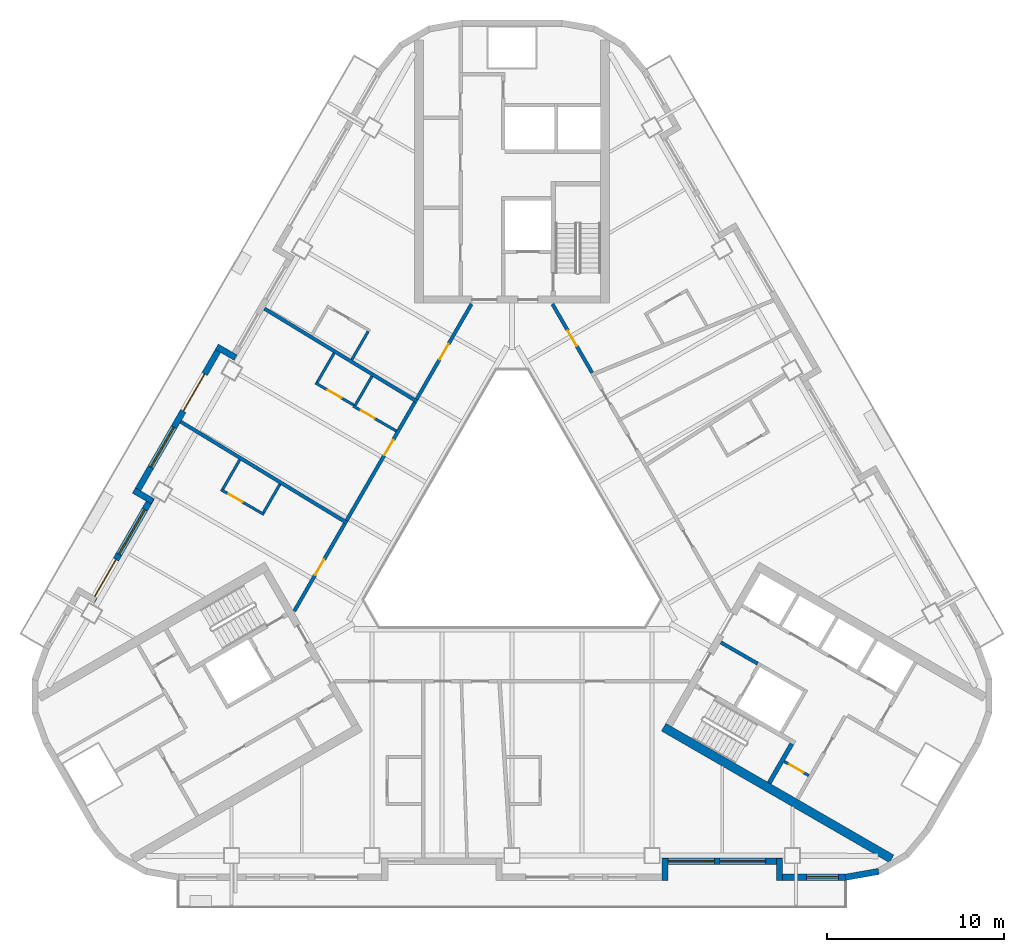
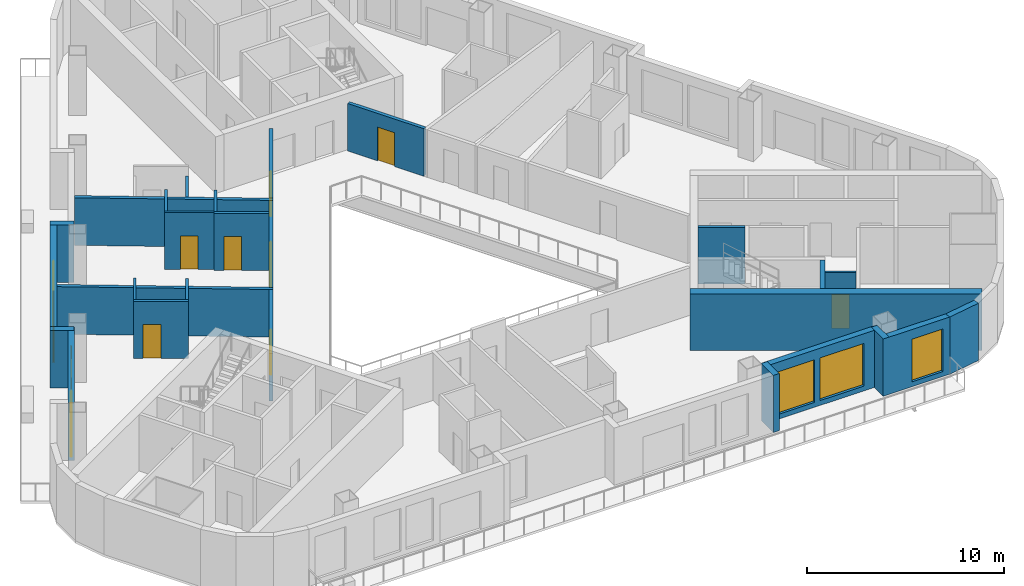
# One storey, part 4 of 13: 27 walls, 10 doors, 5 windows, 15 openings.
"""IFC4 building model written with IfcOpenShell, lengths in metres."""

from ifc_helpers import new_model, si_unit, direction, frame, frame_2d, origin, place, context, subcontext, project, spatial, rectangle, extrude, material, layer, layer_set, type_object, element, fill, save


model = new_model("IFC4")

# Units and contexts
model_context = context("Model", 3, precision=1e-05, world=origin(), true_north=direction((0.0, 1.0)))
body_context = subcontext(model_context, "Body", "Model", "MODEL_VIEW")
ifc_project = project(units=[si_unit("LENGTHUNIT", "METRE"), si_unit("AREAUNIT", "SQUARE_METRE"), si_unit("VOLUMEUNIT", "CUBIC_METRE"), si_unit("PLANEANGLEUNIT", "RADIAN"), si_unit("MASSUNIT", "GRAM", prefix="KILO")], contexts=[model_context])

# Site, building, storey
site_placement = place(None, origin())
site = spatial("IfcSite", under=ifc_project, at=site_placement, CompositionType="ELEMENT")
building_placement = place(site_placement, origin())
building = spatial("IfcBuilding", under=site, at=building_placement, Name="Apuvela Tower Hotel", CompositionType="ELEMENT")
storey_placement = place(building_placement, frame((0.0, 0.0, 102.0)))
storey = spatial("IfcBuildingStorey", under=building, at=storey_placement, Name="L23", CompositionType="ELEMENT", Elevation=102.0)

# Wall
ifc_material_1 = material(Name="Concrete C50/60", Category="concrete")
ifc_layer_1 = layer(ifc_material_1, 0.5)
ifc_layer_set_1 = layer_set([ifc_layer_1], Name="COR-WALL-CORE-500")
wall_type_1 = type_object("IfcWallType", Name="COR-WALL-CORE-500", PredefinedType="SHEAR", material=ifc_layer_set_1)
wall_1_placement = place(storey_placement, frame((8.546630859375, -10.99658203125, 0.0), z_axis=(0.0, 0.0, 1.0), x_axis=(0.866025009528, -0.500000682871, 0.0)))
element("IfcWall", 1, at=wall_1_placement, inside=storey, type_object=wall_type_1, Name="Core wall SE", PredefinedType="SHEAR", context=body_context, shape_type="SweptSolid", body=[
    extrude(rectangle(XDim=14.8369140625, YDim=0.5, at=frame_2d((7.41845703125, 0.0))), origin(), (0.0, 0.0, 1.0), 3.5),
])

# Wall, opening, door
ifc_material_2 = material(Name="Blockwork 150 mm plastered", Category="masonry")
ifc_layer_2 = layer(ifc_material_2, 0.14990234375)
ifc_layer_set_2 = layer_set([ifc_layer_2], Name="COR-WALL-PART-150")
wall_type_2 = type_object("IfcWallType", Name="COR-WALL-PART-150", PredefinedType="PARTITIONING", material=ifc_layer_set_2)
wall_2_placement = place(storey_placement, frame((15.341552734375, -12.927734375, 0.0), z_axis=(0.0, 0.0, 1.0), x_axis=(0.865989903783, -0.500061482766, 0.0)))
wall_2 = element("IfcWall", 2, at=wall_2_placement, inside=storey, type_object=wall_type_2, Name="Partition SE", PredefinedType="PARTITIONING", context=body_context, shape_type="SweptSolid", body=[
    extrude(rectangle(XDim=1.599853515625, YDim=0.14990234375, at=frame_2d((0.7998046875, 0.0))), origin(), (0.0, 0.0, 1.0), 3.5),
])
opening_1_placement = place(wall_2_placement, frame((0.35009765625, 0.0, 0.0)))
opening_1 = element("IfcOpeningElement", 3, at=opening_1_placement, cuts=wall_2, Name="Opening E-RD", PredefinedType="OPENING", context=body_context, shape_type="SweptSolid", body=[
    extrude(rectangle(XDim=0.89990234375, YDim=2.10009765625, at=frame_2d((0.449951171875, 1.050048828125))), frame((0.0, 0.0849609375, 0.0), z_axis=(0.0, -1.0, 0.0), x_axis=(1.0, 0.0, 0.0)), (0.0, 0.0, 1.0), 0.169921875),
])
ifc_material_3 = material(Name="Steel access door, powder coated", Category="steel")
door_type_1 = type_object("IfcDoorType", Name="COR-RD-900", OperationType="NOTDEFINED", PredefinedType="DOOR", material=ifc_material_3)
door_1_placement = place(opening_1_placement, frame((0.89990234375, 0.0, 0.0), z_axis=(0.0, 0.0, 1.0), x_axis=(-1.0, 0.0, 0.0)))
door_1 = element("IfcDoor", 4, at=door_1_placement, inside=storey, type_object=door_type_1, Name="Riser door E-RD", OperationType="SINGLE_SWING_LEFT", OverallHeight=2.10009765625, OverallWidth=0.89990234375, PredefinedType="DOOR", context=body_context, shape_type="SweptSolid", body=[
    extrude(rectangle(XDim=0.89990234375, YDim=2.10009765625, at=frame_2d((0.449951171875, 1.050048828125))), frame((0.0, 0.02490234375, 0.0), z_axis=(0.0, -1.0, 0.0), x_axis=(1.0, 0.0, 0.0)), (0.0, 0.0, 1.0), 0.050048828125),
])
fill(opening_1, door_1)

# Walls
ifc_layer_3 = layer(ifc_material_1, 0.199951171875)
ifc_layer_set_3 = layer_set([ifc_layer_3], Name="COR-WALL-SHAFT-200")
wall_type_3 = type_object("IfcWallType", Name="COR-WALL-SHAFT-200", PredefinedType="SHEAR", material=ifc_layer_set_3)
wall_3_placement = place(storey_placement, frame((11.76806640625, -6.217041015625, 0.0), z_axis=(0.0, 0.0, 1.0), x_axis=(0.866050077142, -0.499957262057, 0.0)))
element("IfcWall", 5, at=wall_3_placement, inside=storey, type_object=wall_type_3, Name="Shaft wall SE", PredefinedType="SHEAR", context=body_context, shape_type="SweptSolid", body=[
    extrude(rectangle(XDim=2.400146484375, YDim=0.199951171875, at=frame_2d((1.2001953125, 0.0))), origin(), (0.0, 0.0, 1.0), 3.5),
])
ifc_layer_4 = layer(ifc_material_1, 0.25)
ifc_layer_set_4 = layer_set([ifc_layer_4], Name="COR-WALL-STAIR-250")
wall_type_4 = type_object("IfcWallType", Name="COR-WALL-STAIR-250", PredefinedType="SHEAR", material=ifc_layer_set_4)
wall_4_placement = place(storey_placement, frame((14.49560546875, -14.142578125, 0.0), z_axis=(0.0, 0.0, 1.0), x_axis=(0.500062241894, 0.865989465428, 0.0)))
element("IfcWall", 6, at=wall_4_placement, inside=storey, type_object=wall_type_4, Name="Stair wall SE", PredefinedType="SHEAR", context=body_context, shape_type="SweptSolid", body=[
    extrude(rectangle(XDim=2.550048828125, YDim=0.25, at=frame_2d((1.27490234375, 0.0))), origin(), (0.0, 0.0, 1.0), 3.5),
])
ifc_material_4 = material(Name="Concrete C40/50, dark pigmented precast panel", Category="concrete")
ifc_layer_5 = layer(ifc_material_4, 0.35009765625)
ifc_layer_set_5 = layer_set([ifc_layer_5], Name="ENV-WALL-350")
wall_type_5 = type_object("IfcWallType", Name="ENV-WALL-350", PredefinedType="SOLIDWALL", material=ifc_layer_set_5)
wall_5_placement = place(storey_placement, frame((-15.580810546875, 9.8330078125, 0.0), z_axis=(0.0, 0.0, 1.0), x_axis=(-0.866055662726, 0.499947586314, 0.0)))
element("IfcWall", 7, at=wall_5_placement, inside=storey, type_object=wall_type_5, Name="External wall L23-04", PredefinedType="SOLIDWALL", context=body_context, shape_type="SweptSolid", body=[
    extrude(rectangle(XDim=1.220458984375, YDim=0.35009765625, at=frame_2d((0.6103515625, 0.0))), origin(), (0.0, 0.0, 1.0), 3.550048828125),
])

# Wall, openings, door, window
wall_6_placement = place(storey_placement, frame((-16.3984375, 10.507080078125, 0.0), z_axis=(0.0, 0.0, 1.0), x_axis=(-0.499999142773, -0.866025898704, 0.0)))
wall_6 = element("IfcWall", 8, at=wall_6_placement, inside=storey, type_object=wall_type_5, Name="External wall L23-05", PredefinedType="SOLIDWALL", context=body_context, shape_type="SweptSolid", body=[
    extrude(rectangle(XDim=9.7001953125, YDim=0.35009765625, at=frame_2d((4.85009765625, 0.0))), origin(), (0.0, 0.0, 1.0), 3.550048828125),
])
opening_2_placement = place(wall_6_placement, frame((1.85009765625, 0.0, 0.0)))
opening_2 = element("IfcOpeningElement", 9, at=opening_2_placement, cuts=wall_6, Name="Opening BD24", PredefinedType="OPENING", context=body_context, shape_type="SweptSolid", body=[
    extrude(rectangle(XDim=2.39990234375, YDim=2.39990234375, at=frame_2d((1.199951171875, 1.199951171875))), frame((0.0, 0.18505859375, 0.0), z_axis=(0.0, -1.0, 0.0), x_axis=(1.0, 0.0, 0.0)), (0.0, 0.0, 1.0), 0.3701171875),
])
opening_3_placement = place(wall_6_placement, frame((5.2998046875, 0.0, 0.300048828125)))
opening_3 = element("IfcOpeningElement", 10, at=opening_3_placement, cuts=wall_6, Name="Opening WN26", PredefinedType="OPENING", context=body_context, shape_type="SweptSolid", body=[
    extrude(rectangle(XDim=2.60009765625, YDim=2.64990234375, at=frame_2d((1.300048828125, 1.324951171875))), frame((0.0, 0.18505859375, 0.0), z_axis=(0.0, -1.0, 0.0), x_axis=(1.0, 0.0, 0.0)), (0.0, 0.0, 1.0), 0.3701171875),
])
ifc_material_5 = material(Name="Aluminium 6063-T6, dark bronze anodised frame with dark tinted laminated glass", Category="aluminium")
door_type_2 = type_object("IfcDoorType", Name="ENV-DOOR-BALCONY-2400x2400", OperationType="SLIDING_TO_LEFT", PredefinedType="DOOR", material=ifc_material_5)
door_2_placement = place(opening_2_placement, frame((2.39990234375, 0.0, 0.0), z_axis=(0.0, 0.0, 1.0), x_axis=(-1.0, 0.0, 0.0)))
door_2 = element("IfcDoor", 11, at=door_2_placement, inside=storey, type_object=door_type_2, Name="Balcony door BD24", OperationType="SLIDING_TO_LEFT", OverallHeight=2.39990234375, OverallWidth=2.39990234375, PredefinedType="DOOR", context=body_context, shape_type="SweptSolid", body=[
    extrude(rectangle(XDim=2.39990234375, YDim=2.39990234375, at=frame_2d((1.199951171875, 1.199951171875))), frame((0.0, 0.02490234375, 0.0), z_axis=(0.0, -1.0, 0.0), x_axis=(1.0, 0.0, 0.0)), (0.0, 0.0, 1.0), 0.050048828125),
])
fill(opening_2, door_2)
ifc_material_6 = material(Name="Glass, dark tinted laminated insulated glazing unit", Category="glass")
window_type_1 = type_object("IfcWindowType", Name="ENV-WIN-2600x2650", PartitioningType="SINGLE_PANEL", PredefinedType="WINDOW", material=ifc_material_6)
window_1_placement = place(opening_3_placement, origin())
window_1 = element("IfcWindow", 12, at=window_1_placement, inside=storey, type_object=window_type_1, Name="Window WN26", OverallHeight=2.64990234375, OverallWidth=2.60009765625, PartitioningType="SINGLE_PANEL", PredefinedType="WINDOW", context=body_context, shape_type="SweptSolid", body=[
    extrude(rectangle(XDim=2.60009765625, YDim=2.64990234375, at=frame_2d((1.300048828125, 1.324951171875))), frame((0.0, 0.030029296875, 0.0), z_axis=(0.0, -1.0, 0.0), x_axis=(1.0, 0.0, 0.0)), (0.0, 0.0, 1.0), 0.06005859375),
])
fill(opening_3, window_1)

# Wall
wall_7_placement = place(storey_placement, frame((-21.3125, 2.345703125, 0.0), z_axis=(0.0, 0.0, 1.0), x_axis=(0.866005645448, -0.500034220881, 0.0)))
element("IfcWall", 13, at=wall_7_placement, inside=storey, type_object=wall_type_5, Name="External wall L23-06", PredefinedType="SOLIDWALL", context=body_context, shape_type="SweptSolid", body=[
    extrude(rectangle(XDim=1.22021484375, YDim=0.35009765625, at=frame_2d((0.610107421875, 0.0))), origin(), (0.0, 0.0, 1.0), 3.550048828125),
])

# Wall, openings, door, window
wall_8_placement = place(storey_placement, frame((-20.30908203125, 1.93359375, 0.0), z_axis=(0.0, 0.0, 1.0), x_axis=(-0.499992114976, -0.866029956157, 0.0)))
wall_8 = element("IfcWall", 14, at=wall_8_placement, inside=storey, type_object=wall_type_5, Name="External wall L23-07", PredefinedType="SOLIDWALL", context=body_context, shape_type="SweptSolid", body=[
    extrude(rectangle(XDim=6.73974609375, YDim=0.35009765625, at=frame_2d((3.369873046875, 0.0))), origin(), (0.0, 0.0, 1.0), 3.550048828125),
])
opening_4_placement = place(wall_8_placement, frame((4.02001953125, 0.0, 0.0)))
opening_4 = element("IfcOpeningElement", 15, at=opening_4_placement, cuts=wall_8, Name="Opening BD24", PredefinedType="OPENING", context=body_context, shape_type="SweptSolid", body=[
    extrude(rectangle(XDim=2.39990234375, YDim=2.39990234375, at=frame_2d((1.199951171875, 1.199951171875))), frame((0.0, 0.18505859375, 0.0), z_axis=(0.0, -1.0, 0.0), x_axis=(1.0, 0.0, 0.0)), (0.0, 0.0, 1.0), 0.3701171875),
])
opening_5_placement = place(wall_8_placement, frame((0.77001953125, 0.0, 0.300048828125)))
opening_5 = element("IfcOpeningElement", 16, at=opening_5_placement, cuts=wall_8, Name="Opening WN29", PredefinedType="OPENING", context=body_context, shape_type="SweptSolid", body=[
    extrude(rectangle(XDim=2.89990234375, YDim=2.64990234375, at=frame_2d((1.449951171875, 1.324951171875))), frame((0.0, 0.18505859375, 0.0), z_axis=(0.0, -1.0, 0.0), x_axis=(1.0, 0.0, 0.0)), (0.0, 0.0, 1.0), 0.3701171875),
])
door_3_placement = place(opening_4_placement, frame((2.39990234375, 0.0, 0.0), z_axis=(0.0, 0.0, 1.0), x_axis=(-1.0, 0.0, 0.0)))
door_3 = element("IfcDoor", 17, at=door_3_placement, inside=storey, type_object=door_type_2, Name="Balcony door BD24", OperationType="SLIDING_TO_LEFT", OverallHeight=2.39990234375, OverallWidth=2.39990234375, PredefinedType="DOOR", context=body_context, shape_type="SweptSolid", body=[
    extrude(rectangle(XDim=2.39990234375, YDim=2.39990234375, at=frame_2d((1.199951171875, 1.199951171875))), frame((0.0, 0.02490234375, 0.0), z_axis=(0.0, -1.0, 0.0), x_axis=(1.0, 0.0, 0.0)), (0.0, 0.0, 1.0), 0.050048828125),
])
fill(opening_4, door_3)
window_type_2 = type_object("IfcWindowType", Name="ENV-WIN-2900x2650", PartitioningType="SINGLE_PANEL", PredefinedType="WINDOW", material=ifc_material_6)
window_2_placement = place(opening_5_placement, origin())
window_2 = element("IfcWindow", 18, at=window_2_placement, inside=storey, type_object=window_type_2, Name="Window WN29", OverallHeight=2.64990234375, OverallWidth=2.89990234375, PartitioningType="SINGLE_PANEL", PredefinedType="WINDOW", context=body_context, shape_type="SweptSolid", body=[
    extrude(rectangle(XDim=2.89990234375, YDim=2.64990234375, at=frame_2d((1.449951171875, 1.324951171875))), frame((0.0, 0.030029296875, 0.0), z_axis=(0.0, -1.0, 0.0), x_axis=(1.0, 0.0, 0.0)), (0.0, 0.0, 1.0), 0.06005859375),
])
fill(opening_5, window_2)

# Wall
wall_9_placement = place(storey_placement, frame((8.625, -19.6298828125, 0.0), z_axis=(0.0, 0.0, 1.0), x_axis=(0.0, 1.0, 0.0)))
element("IfcWall", 19, at=wall_9_placement, inside=storey, type_object=wall_type_5, Name="External wall L23-22", PredefinedType="SOLIDWALL", context=body_context, shape_type="SweptSolid", body=[
    extrude(rectangle(XDim=1.219970703125, YDim=0.35009765625, at=frame_2d((0.60986328125, 0.0))), origin(), (0.0, 0.0, 1.0), 3.550048828125),
])

# Wall, openings, windows
wall_10_placement = place(storey_placement, frame((8.47998046875, -18.554931640625, 0.0), z_axis=(0.0, 0.0, 1.0), x_axis=(1.0, 0.0, 0.0)))
wall_10 = element("IfcWall", 20, at=wall_10_placement, inside=storey, type_object=wall_type_5, Name="External wall L23-23", PredefinedType="SOLIDWALL", context=body_context, shape_type="SweptSolid", body=[
    extrude(rectangle(XDim=6.739990234375, YDim=0.35009765625, at=frame_2d((3.3701171875, 0.0))), origin(), (0.0, 0.0, 1.0), 3.550048828125),
])
opening_6_placement = place(wall_10_placement, frame((0.3203125, 0.0, 0.300048828125)))
opening_6 = element("IfcOpeningElement", 21, at=opening_6_placement, cuts=wall_10, Name="Opening WN26", PredefinedType="OPENING", context=body_context, shape_type="SweptSolid", body=[
    extrude(rectangle(XDim=2.60009765625, YDim=2.64990234375, at=frame_2d((1.300048828125, 1.324951171875))), frame((0.0, 0.18505859375, 0.0), z_axis=(0.0, -1.0, 0.0), x_axis=(1.0, 0.0, 0.0)), (0.0, 0.0, 1.0), 0.3701171875),
])
opening_7_placement = place(wall_10_placement, frame((3.22021484375, 0.0, 0.300048828125)))
opening_7 = element("IfcOpeningElement", 22, at=opening_7_placement, cuts=wall_10, Name="Opening WN26", PredefinedType="OPENING", context=body_context, shape_type="SweptSolid", body=[
    extrude(rectangle(XDim=2.60009765625, YDim=2.64990234375, at=frame_2d((1.300048828125, 1.324951171875))), frame((0.0, 0.18505859375, 0.0), z_axis=(0.0, -1.0, 0.0), x_axis=(1.0, 0.0, 0.0)), (0.0, 0.0, 1.0), 0.3701171875),
])
window_3_placement = place(opening_6_placement, origin())
window_3 = element("IfcWindow", 23, at=window_3_placement, inside=storey, type_object=window_type_1, Name="Window WN26", OverallHeight=2.64990234375, OverallWidth=2.60009765625, PartitioningType="SINGLE_PANEL", PredefinedType="WINDOW", context=body_context, shape_type="SweptSolid", body=[
    extrude(rectangle(XDim=2.60009765625, YDim=2.64990234375, at=frame_2d((1.300048828125, 1.324951171875))), frame((0.0, 0.030029296875, 0.0), z_axis=(0.0, -1.0, 0.0), x_axis=(1.0, 0.0, 0.0)), (0.0, 0.0, 1.0), 0.06005859375),
])
fill(opening_6, window_3)
window_4_placement = place(opening_7_placement, origin())
window_4 = element("IfcWindow", 24, at=window_4_placement, inside=storey, type_object=window_type_1, Name="Window WN26", OverallHeight=2.64990234375, OverallWidth=2.60009765625, PartitioningType="SINGLE_PANEL", PredefinedType="WINDOW", context=body_context, shape_type="SweptSolid", body=[
    extrude(rectangle(XDim=2.60009765625, YDim=2.64990234375, at=frame_2d((1.300048828125, 1.324951171875))), frame((0.0, 0.030029296875, 0.0), z_axis=(0.0, -1.0, 0.0), x_axis=(1.0, 0.0, 0.0)), (0.0, 0.0, 1.0), 0.06005859375),
])
fill(opening_7, window_4)

# Wall
wall_11_placement = place(storey_placement, frame((15.074951171875, -18.409912109375, 0.0), z_axis=(0.0, 0.0, 1.0), x_axis=(0.0, -1.0, 0.0)))
element("IfcWall", 25, at=wall_11_placement, inside=storey, type_object=wall_type_5, Name="External wall L23-24", PredefinedType="SOLIDWALL", context=body_context, shape_type="SweptSolid", body=[
    extrude(rectangle(XDim=1.219970703125, YDim=0.35009765625, at=frame_2d((0.60986328125, 0.0))), origin(), (0.0, 0.0, 1.0), 3.550048828125),
])

# Wall, opening, window
wall_12_placement = place(storey_placement, frame((14.89990234375, -19.455078125, 0.0), z_axis=(0.0, 0.0, 1.0), x_axis=(1.0, 0.0, 0.0)))
wall_12 = element("IfcWall", 26, at=wall_12_placement, inside=storey, type_object=wall_type_5, Name="External wall L23-25", PredefinedType="SOLIDWALL", context=body_context, shape_type="SweptSolid", body=[
    extrude(rectangle(XDim=3.916015625, YDim=0.35009765625, at=frame_2d((1.9580078125, 0.0))), origin(), (0.0, 0.0, 1.0), 3.550048828125),
])
opening_8_placement = place(wall_12_placement, frame((1.699951171875, 0.0, 0.300048828125)))
opening_8 = element("IfcOpeningElement", 27, at=opening_8_placement, cuts=wall_12, Name="Opening WN18", PredefinedType="OPENING", context=body_context, shape_type="SweptSolid", body=[
    extrude(rectangle(XDim=1.800048828125, YDim=2.64990234375, at=frame_2d((0.89990234375, 1.324951171875))), frame((0.0, 0.18505859375, 0.0), z_axis=(0.0, -1.0, 0.0), x_axis=(1.0, 0.0, 0.0)), (0.0, 0.0, 1.0), 0.3701171875),
])
window_type_3 = type_object("IfcWindowType", Name="ENV-WIN-1800x2650", PartitioningType="SINGLE_PANEL", PredefinedType="WINDOW", material=ifc_material_6)
window_5_placement = place(opening_8_placement, origin())
window_5 = element("IfcWindow", 28, at=window_5_placement, inside=storey, type_object=window_type_3, Name="Window WN18", OverallHeight=2.64990234375, OverallWidth=1.800048828125, PartitioningType="SINGLE_PANEL", PredefinedType="WINDOW", context=body_context, shape_type="SweptSolid", body=[
    extrude(rectangle(XDim=1.800048828125, YDim=2.64990234375, at=frame_2d((0.89990234375, 1.324951171875))), frame((0.0, 0.030029296875, 0.0), z_axis=(0.0, -1.0, 0.0), x_axis=(1.0, 0.0, 0.0)), (0.0, 0.0, 1.0), 0.06005859375),
])
fill(opening_8, window_5)

# Walls
wall_13_placement = place(storey_placement, frame((18.785400390625, -19.457763671875, 0.0), z_axis=(0.0, 0.0, 1.0), x_axis=(0.984798995425, 0.173697837091, 0.0)))
element("IfcWall", 29, at=wall_13_placement, inside=storey, type_object=wall_type_5, Name="External wall L23-26", PredefinedType="SOLIDWALL", context=body_context, shape_type="SweptSolid", body=[
    extrude(rectangle(XDim=1.91015625, YDim=0.35009765625, at=frame_2d((0.955078125, 0.0))), origin(), (0.0, 0.0, 1.0), 3.550048828125),
])
ifc_material_7 = material(Name="Gypsum board partition on twin steel stud", Category="steel")
ifc_layer_6 = layer(ifc_material_7, 0.199951171875)
ifc_layer_set_6 = layer_set([ifc_layer_6], Name="GST-PW1")
wall_type_6 = type_object("IfcWallType", Name="GST-PW1", PredefinedType="PARTITIONING", material=ifc_layer_set_6)
wall_14_placement = place(storey_placement, frame((-13.952880859375, 12.5927734375, 0.0), z_axis=(0.0, 0.0, 1.0), x_axis=(0.854198088033, -0.519947715065, 0.0)))
element("IfcWall", 30, at=wall_14_placement, inside=storey, type_object=wall_type_6, Name="L23 partition 05", PredefinedType="PARTITIONING", context=body_context, shape_type="SweptSolid", body=[
    extrude(rectangle(XDim=10.08251953125, YDim=0.199951171875, at=frame_2d((5.041259765625, 0.0))), origin(), (0.0, 0.0, 1.0), 2.949951171875),
])
wall_15_placement = place(storey_placement, frame((-18.672119140625, 6.21923828125, 0.0), z_axis=(0.0, 0.0, 1.0), x_axis=(0.854207998877, -0.519931432647, 0.0)))
element("IfcWall", 31, at=wall_15_placement, inside=storey, type_object=wall_type_6, Name="L23 partition 06", PredefinedType="PARTITIONING", context=body_context, shape_type="SweptSolid", body=[
    extrude(rectangle(XDim=10.983154296875, YDim=0.199951171875, at=frame_2d((5.49169921875, 0.0))), origin(), (0.0, 0.0, 1.0), 2.949951171875),
])

# Wall, opening, door
ifc_material_8 = material(Name="Gypsum board corridor wall on twin steel stud, acoustic", Category="steel")
ifc_layer_7 = layer(ifc_material_8, 0.199951171875)
ifc_layer_set_7 = layer_set([ifc_layer_7], Name="GST-PW2")
wall_type_7 = type_object("IfcWallType", Name="GST-PW2", PredefinedType="PARTITIONING", material=ifc_layer_set_7)
wall_16_placement = place(storey_placement, frame((2.280517578125, 12.85009765625, 0.0), z_axis=(0.0, 0.0, 1.0), x_axis=(0.499977539641, -0.866038370891, 0.0)))
wall_16 = element("IfcWall", 32, at=wall_16_placement, inside=storey, type_object=wall_type_7, Name="L23 partition 25", PredefinedType="PARTITIONING", context=body_context, shape_type="SweptSolid", body=[
    extrude(rectangle(XDim=4.473876953125, YDim=0.199951171875, at=frame_2d((2.23681640625, 0.0))), origin(), (0.0, 0.0, 1.0), 2.949951171875),
])
opening_9_placement = place(wall_16_placement, frame((1.73681640625, 0.0, 0.0)))
opening_9 = element("IfcOpeningElement", 33, at=opening_9_placement, cuts=wall_16, Name="Opening GD08-12", PredefinedType="OPENING", context=body_context, shape_type="SweptSolid", body=[
    extrude(rectangle(XDim=1.0, YDim=2.10009765625, at=frame_2d((0.5, 1.050048828125))), frame((0.0, 0.10986328125, 0.0), z_axis=(0.0, -1.0, 0.0), x_axis=(1.0, 0.0, 0.0)), (0.0, 0.0, 1.0), 0.219970703125),
])
ifc_material_9 = material(Name="Timber door leaf in steel frame", Category="steel")
door_type_3 = type_object("IfcDoorType", Name="GST-D1", OperationType="NOTDEFINED", PredefinedType="DOOR", material=ifc_material_9)
door_4_placement = place(opening_9_placement, origin())
door_4 = element("IfcDoor", 34, at=door_4_placement, inside=storey, type_object=door_type_3, Name="Door L23-12", OperationType="SINGLE_SWING_RIGHT", OverallHeight=2.10009765625, OverallWidth=1.0, PredefinedType="DOOR", context=body_context, shape_type="SweptSolid", body=[
    extrude(rectangle(XDim=1.0, YDim=2.10009765625, at=frame_2d((0.5, 1.050048828125))), frame((0.0, 0.02490234375, 0.0), z_axis=(0.0, -1.0, 0.0), x_axis=(1.0, 0.0, 0.0)), (0.0, 0.0, 1.0), 0.050048828125),
])
fill(opening_9, door_4)

wall_17_placement = place(storey_placement, frame((-5.375732421875, 7.489013671875, 0.0), z_axis=(0.0, 0.0, 1.0), x_axis=(0.499998977725, 0.866025993994, 0.0)))
wall_17 = element("IfcWall", 35, at=wall_17_placement, inside=storey, type_object=wall_type_7, Name="L23 partition 29", PredefinedType="PARTITIONING", context=body_context, shape_type="SweptSolid", body=[
    extrude(rectangle(XDim=6.1904296875, YDim=0.199951171875, at=frame_2d((3.09521484375, 0.0))), origin(), (0.0, 0.0, 1.0), 2.949951171875),
])
opening_10_placement = place(wall_17_placement, frame((2.59521484375, 0.0, 0.0)))
opening_10 = element("IfcOpeningElement", 36, at=opening_10_placement, cuts=wall_17, Name="Opening GD08-14", PredefinedType="OPENING", context=body_context, shape_type="SweptSolid", body=[
    extrude(rectangle(XDim=1.0, YDim=2.10009765625, at=frame_2d((0.5, 1.050048828125))), frame((0.0, 0.10986328125, 0.0), z_axis=(0.0, -1.0, 0.0), x_axis=(1.0, 0.0, 0.0)), (0.0, 0.0, 1.0), 0.219970703125),
])
door_5_placement = place(opening_10_placement, origin())
door_5 = element("IfcDoor", 37, at=door_5_placement, inside=storey, type_object=door_type_3, Name="Door L23-14", OperationType="SINGLE_SWING_LEFT", OverallHeight=2.10009765625, OverallWidth=1.0, PredefinedType="DOOR", context=body_context, shape_type="SweptSolid", body=[
    extrude(rectangle(XDim=1.0, YDim=2.10009765625, at=frame_2d((0.5, 1.050048828125))), frame((0.0, 0.02490234375, 0.0), z_axis=(0.0, -1.0, 0.0), x_axis=(1.0, 0.0, 0.0)), (0.0, 0.0, 1.0), 0.050048828125),
])
fill(opening_10, door_5)

wall_18_placement = place(storey_placement, frame((-9.32568359375, 0.647216796875, 0.0), z_axis=(0.0, 0.0, 1.0), x_axis=(0.499982277793, 0.866035635464, 0.0)))
wall_18 = element("IfcWall", 38, at=wall_18_placement, inside=storey, type_object=wall_type_7, Name="L23 partition 33", PredefinedType="PARTITIONING", context=body_context, shape_type="SweptSolid", body=[
    extrude(rectangle(XDim=7.699951171875, YDim=0.199951171875, at=frame_2d((3.85009765625, 0.0))), origin(), (0.0, 0.0, 1.0), 2.949951171875),
])
opening_11_placement = place(wall_18_placement, frame((4.252197265625, 0.0, 0.0)))
opening_11 = element("IfcOpeningElement", 39, at=opening_11_placement, cuts=wall_18, Name="Opening GD08-17", PredefinedType="OPENING", context=body_context, shape_type="SweptSolid", body=[
    extrude(rectangle(XDim=1.0, YDim=2.10009765625, at=frame_2d((0.5, 1.050048828125))), frame((0.0, 0.10986328125, 0.0), z_axis=(0.0, -1.0, 0.0), x_axis=(1.0, 0.0, 0.0)), (0.0, 0.0, 1.0), 0.219970703125),
])
door_6_placement = place(opening_11_placement, origin())
door_6 = element("IfcDoor", 40, at=door_6_placement, inside=storey, type_object=door_type_3, Name="Door L23-17", OperationType="SINGLE_SWING_LEFT", OverallHeight=2.10009765625, OverallWidth=1.0, PredefinedType="DOOR", context=body_context, shape_type="SweptSolid", body=[
    extrude(rectangle(XDim=1.0, YDim=2.10009765625, at=frame_2d((0.5, 1.050048828125))), frame((0.0, 0.02490234375, 0.0), z_axis=(0.0, -1.0, 0.0), x_axis=(1.0, 0.0, 0.0)), (0.0, 0.0, 1.0), 0.050048828125),
])
fill(opening_11, door_6)

wall_19_placement = place(storey_placement, frame((-12.268798828125, -4.449951171875, 0.0), z_axis=(0.0, 0.0, 1.0), x_axis=(0.50001360338, 0.866017549727, 0.0)))
wall_19 = element("IfcWall", 41, at=wall_19_placement, inside=storey, type_object=wall_type_7, Name="L23 partition 38", PredefinedType="PARTITIONING", context=body_context, shape_type="SweptSolid", body=[
    extrude(rectangle(XDim=5.685791015625, YDim=0.199951171875, at=frame_2d((2.8427734375, 0.0))), origin(), (0.0, 0.0, 1.0), 2.949951171875),
])
opening_12_placement = place(wall_19_placement, frame((2.343017578125, 0.0, 0.0)))
opening_12 = element("IfcOpeningElement", 42, at=opening_12_placement, cuts=wall_19, Name="Opening GD08-19", PredefinedType="OPENING", context=body_context, shape_type="SweptSolid", body=[
    extrude(rectangle(XDim=1.0, YDim=2.10009765625, at=frame_2d((0.5, 1.050048828125))), frame((0.0, 0.10986328125, 0.0), z_axis=(0.0, -1.0, 0.0), x_axis=(1.0, 0.0, 0.0)), (0.0, 0.0, 1.0), 0.219970703125),
])
door_7_placement = place(opening_12_placement, origin())
door_7 = element("IfcDoor", 43, at=door_7_placement, inside=storey, type_object=door_type_3, Name="Door L23-19", OperationType="SINGLE_SWING_RIGHT", OverallHeight=2.10009765625, OverallWidth=1.0, PredefinedType="DOOR", context=body_context, shape_type="SweptSolid", body=[
    extrude(rectangle(XDim=1.0, YDim=2.10009765625, at=frame_2d((0.5, 1.050048828125))), frame((0.0, 0.02490234375, 0.0), z_axis=(0.0, -1.0, 0.0), x_axis=(1.0, 0.0, 0.0)), (0.0, 0.0, 1.0), 0.050048828125),
])
fill(opening_12, door_7)

# Wall
ifc_material_10 = material(Name="Moisture-resistant gypsum board wet wall on steel stud", Category="steel")
ifc_layer_8 = layer(ifc_material_10, 0.14990234375)
ifc_layer_set_8 = layer_set([ifc_layer_8], Name="GST-PW3")
wall_type_8 = type_object("IfcWallType", Name="GST-PW3", PredefinedType="PARTITIONING", material=ifc_layer_set_8)
wall_20_placement = place(storey_placement, frame((-8.104248046875, 11.31298828125, 0.0), z_axis=(0.0, 0.0, 1.0), x_axis=(-0.499989263917, -0.866031602176, 0.0)))
element("IfcWall", 44, at=wall_20_placement, inside=storey, type_object=wall_type_8, Name="L23 partition 32", PredefinedType="PARTITIONING", context=body_context, shape_type="SweptSolid", body=[
    extrude(rectangle(XDim=1.84814453125, YDim=0.14990234375, at=frame_2d((0.924072265625, 0.0))), origin(), (0.0, 0.0, 1.0), 2.949951171875),
])

# Wall, opening, door
wall_21_placement = place(storey_placement, frame((-8.948486328125, 7.1005859375, 0.0), z_axis=(0.0, 0.0, 1.0), x_axis=(0.866034573852, -0.49998411664, 0.0)))
wall_21 = element("IfcWall", 45, at=wall_21_placement, inside=storey, type_object=wall_type_8, Name="L23 partition 34", PredefinedType="PARTITIONING", context=body_context, shape_type="SweptSolid", body=[
    extrude(rectangle(XDim=2.7998046875, YDim=0.14990234375, at=frame_2d((1.39990234375, 0.0))), origin(), (0.0, 0.0, 1.0), 3.550048828125),
])
opening_13_placement = place(wall_21_placement, frame((0.5, 0.0, 0.0)))
opening_13 = element("IfcOpeningElement", 46, at=opening_13_placement, cuts=wall_21, Name="Opening GD08-15", PredefinedType="OPENING", context=body_context, shape_type="SweptSolid", body=[
    extrude(rectangle(XDim=0.89990234375, YDim=2.10009765625, at=frame_2d((0.449951171875, 1.050048828125))), frame((0.0, 0.0849609375, 0.0), z_axis=(0.0, -1.0, 0.0), x_axis=(1.0, 0.0, 0.0)), (0.0, 0.0, 1.0), 0.169921875),
])
door_type_4 = type_object("IfcDoorType", Name="GST-D2", OperationType="NOTDEFINED", PredefinedType="DOOR", material=ifc_material_9)
door_8_placement = place(opening_13_placement, origin())
door_8 = element("IfcDoor", 47, at=door_8_placement, inside=storey, type_object=door_type_4, Name="Door L23-15", OperationType="SINGLE_SWING_LEFT", OverallHeight=2.10009765625, OverallWidth=0.89990234375, PredefinedType="DOOR", context=body_context, shape_type="SweptSolid", body=[
    extrude(rectangle(XDim=0.89990234375, YDim=2.10009765625, at=frame_2d((0.449951171875, 1.050048828125))), frame((0.0, 0.02490234375, 0.0), z_axis=(0.0, -1.0, 0.0), x_axis=(1.0, 0.0, 0.0)), (0.0, 0.0, 1.0), 0.050048828125),
])
fill(opening_13, door_8)

# Wall
wall_22_placement = place(storey_placement, frame((-7.8896484375, 8.784912109375, 0.0), z_axis=(0.0, 0.0, 1.0), x_axis=(-0.499954417993, -0.866051718969, 0.0)))
element("IfcWall", 48, at=wall_22_placement, inside=storey, type_object=wall_type_8, Name="L23 partition 35", PredefinedType="PARTITIONING", context=body_context, shape_type="SweptSolid", body=[
    extrude(rectangle(XDim=1.913330078125, YDim=0.14990234375, at=frame_2d((0.95654296875, 0.0))), origin(), (0.0, 0.0, 1.0), 3.550048828125),
])

# Wall, opening, door
wall_23_placement = place(storey_placement, frame((-11.081298828125, 8.40673828125, 0.0), z_axis=(0.0, 0.0, 1.0), x_axis=(0.866047370643, -0.499961950354, 0.0)))
wall_23 = element("IfcWall", 49, at=wall_23_placement, inside=storey, type_object=wall_type_8, Name="L23 partition 36", PredefinedType="PARTITIONING", context=body_context, shape_type="SweptSolid", body=[
    extrude(rectangle(XDim=2.500244140625, YDim=0.14990234375, at=frame_2d((1.25, 0.0))), origin(), (0.0, 0.0, 1.0), 3.550048828125),
])
opening_14_placement = place(wall_23_placement, frame((0.800048828125, 0.0, 0.0)))
opening_14 = element("IfcOpeningElement", 50, at=opening_14_placement, cuts=wall_23, Name="Opening GD08-16", PredefinedType="OPENING", context=body_context, shape_type="SweptSolid", body=[
    extrude(rectangle(XDim=0.89990234375, YDim=2.10009765625, at=frame_2d((0.449951171875, 1.050048828125))), frame((0.0, 0.0849609375, 0.0), z_axis=(0.0, -1.0, 0.0), x_axis=(1.0, 0.0, 0.0)), (0.0, 0.0, 1.0), 0.169921875),
])
door_9_placement = place(opening_14_placement, origin())
door_9 = element("IfcDoor", 51, at=door_9_placement, inside=storey, type_object=door_type_4, Name="Door L23-16", OperationType="SINGLE_SWING_LEFT", OverallHeight=2.10009765625, OverallWidth=0.89990234375, PredefinedType="DOOR", context=body_context, shape_type="SweptSolid", body=[
    extrude(rectangle(XDim=0.89990234375, YDim=2.10009765625, at=frame_2d((0.449951171875, 1.050048828125))), frame((0.0, 0.02490234375, 0.0), z_axis=(0.0, -1.0, 0.0), x_axis=(1.0, 0.0, 0.0)), (0.0, 0.0, 1.0), 0.050048828125),
])
fill(opening_14, door_9)

# Wall
wall_24_placement = place(storey_placement, frame((-10.025634765625, 10.085205078125, 0.0), z_axis=(0.0, 0.0, 1.0), x_axis=(-0.49999591573, -0.866027761826, 0.0)))
element("IfcWall", 52, at=wall_24_placement, inside=storey, type_object=wall_type_8, Name="L23 partition 37", PredefinedType="PARTITIONING", context=body_context, shape_type="SweptSolid", body=[
    extrude(rectangle(XDim=1.90625, YDim=0.14990234375, at=frame_2d((0.953125, 0.0))), origin(), (0.0, 0.0, 1.0), 3.550048828125),
])

# Wall, opening, door
wall_25_placement = place(storey_placement, frame((-16.40185546875, 2.391357421875, 0.0), z_axis=(0.0, 0.0, 1.0), x_axis=(0.866018616679, -0.500011755427, 0.0)))
wall_25 = element("IfcWall", 53, at=wall_25_placement, inside=storey, type_object=wall_type_8, Name="L23 partition 39", PredefinedType="PARTITIONING", context=body_context, shape_type="SweptSolid", body=[
    extrude(rectangle(XDim=2.80029296875, YDim=0.14990234375, at=frame_2d((1.400146484375, 0.0))), origin(), (0.0, 0.0, 1.0), 3.550048828125),
])
opening_15_placement = place(wall_25_placement, frame((0.5, 0.0, 0.0)))
opening_15 = element("IfcOpeningElement", 54, at=opening_15_placement, cuts=wall_25, Name="Opening GD08-18", PredefinedType="OPENING", context=body_context, shape_type="SweptSolid", body=[
    extrude(rectangle(XDim=0.89990234375, YDim=2.10009765625, at=frame_2d((0.449951171875, 1.050048828125))), frame((0.0, 0.0849609375, 0.0), z_axis=(0.0, -1.0, 0.0), x_axis=(1.0, 0.0, 0.0)), (0.0, 0.0, 1.0), 0.169921875),
])
door_10_placement = place(opening_15_placement, origin())
door_10 = element("IfcDoor", 55, at=door_10_placement, inside=storey, type_object=door_type_4, Name="Door L23-18", OperationType="SINGLE_SWING_LEFT", OverallHeight=2.10009765625, OverallWidth=0.89990234375, PredefinedType="DOOR", context=body_context, shape_type="SweptSolid", body=[
    extrude(rectangle(XDim=0.89990234375, YDim=2.10009765625, at=frame_2d((0.449951171875, 1.050048828125))), frame((0.0, 0.02490234375, 0.0), z_axis=(0.0, -1.0, 0.0), x_axis=(1.0, 0.0, 0.0)), (0.0, 0.0, 1.0), 0.050048828125),
])
fill(opening_15, door_10)

# Walls
wall_26_placement = place(storey_placement, frame((-15.3427734375, 4.07568359375, 0.0), z_axis=(0.0, 0.0, 1.0), x_axis=(-0.499954417993, -0.866051718969, 0.0)))
element("IfcWall", 56, at=wall_26_placement, inside=storey, type_object=wall_type_8, Name="L23 partition 40", PredefinedType="PARTITIONING", context=body_context, shape_type="SweptSolid", body=[
    extrude(rectangle(XDim=1.913330078125, YDim=0.14990234375, at=frame_2d((0.95654296875, 0.0))), origin(), (0.0, 0.0, 1.0), 3.550048828125),
])
wall_27_placement = place(storey_placement, frame((-13.07861328125, 2.697509765625, 0.0), z_axis=(0.0, 0.0, 1.0), x_axis=(-0.499939294285, -0.866060449409, 0.0)))
element("IfcWall", 57, at=wall_27_placement, inside=storey, type_object=wall_type_8, Name="L23 partition 41", PredefinedType="PARTITIONING", context=body_context, shape_type="SweptSolid", body=[
    extrude(rectangle(XDim=1.851806640625, YDim=0.14990234375, at=frame_2d((0.92578125, 0.0))), origin(), (0.0, 0.0, 1.0), 3.550048828125),
])

save(model, "model.ifc")
